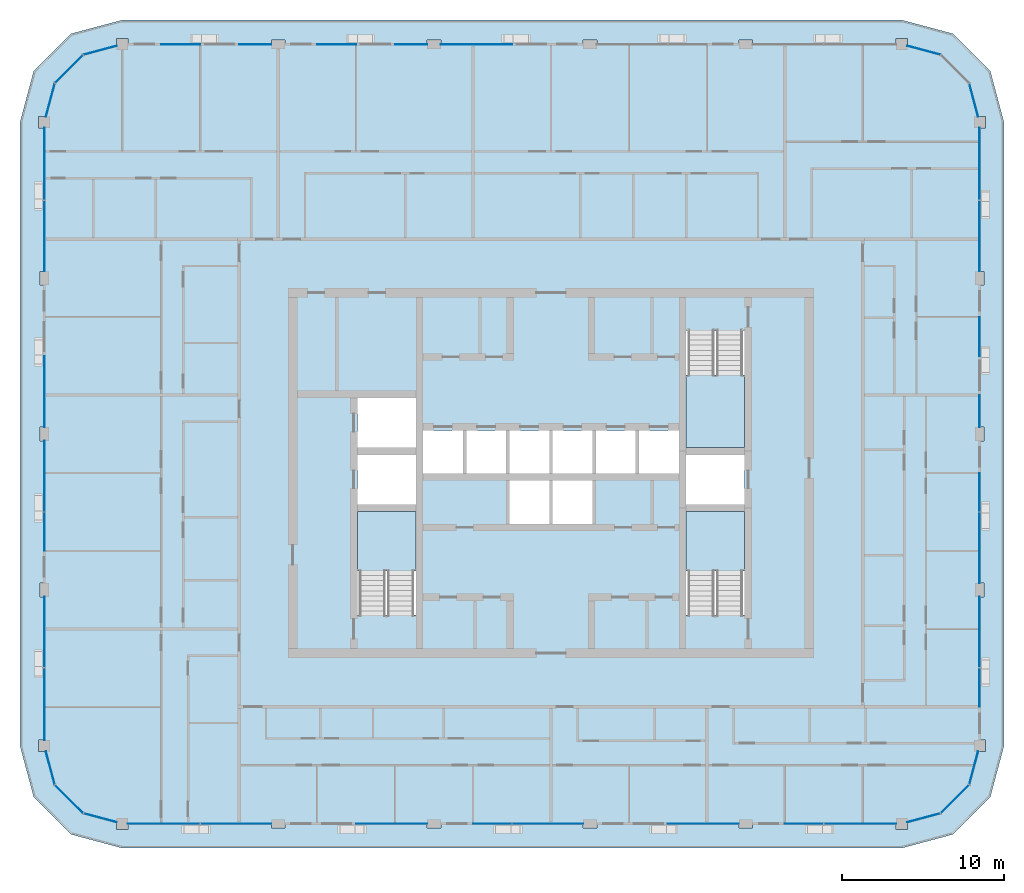
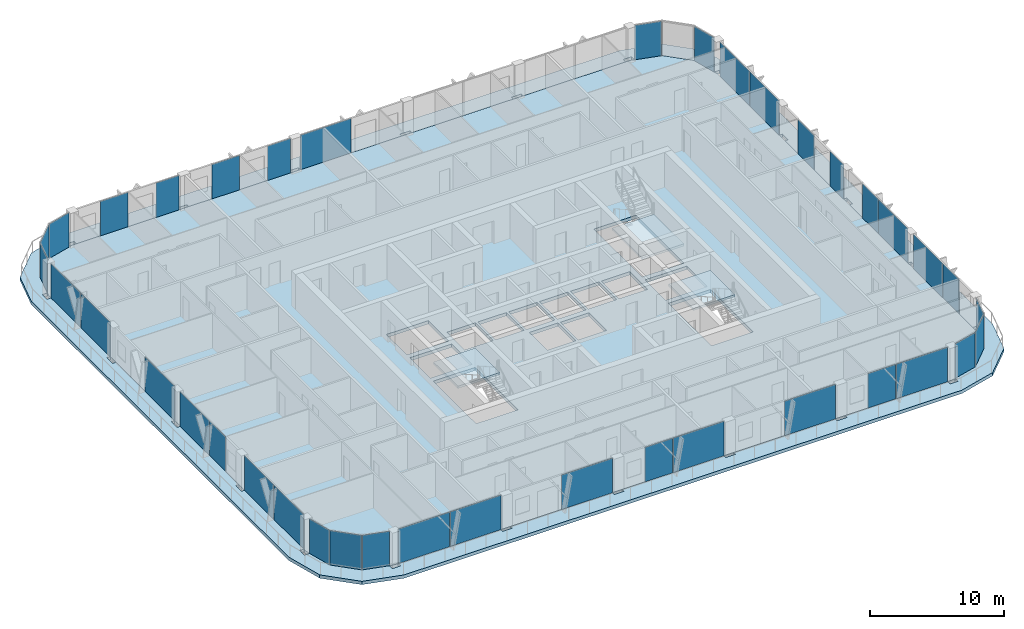
# One storey, part 7 of 21: 39 plates, 5 slabs, 23 elements without a shape of their own.
"""IFC4 building model written with IfcOpenShell, lengths in metres."""

from ifc_helpers import new_model, si_unit, direction, frame, origin, origin_2d, place, context, subcontext, project, spatial, polyline, rectangle, outline, extrude, material, layer, layer_set, type_object, element, aggregate, save


model = new_model("IFC4")

# Units and contexts
model_context = context("Model", 3, precision=1e-05, world=origin(), true_north=direction((0.0, 1.0)))
body_context = subcontext(model_context, "Body", "Model", "MODEL_VIEW")
ifc_project = project(units=[si_unit("LENGTHUNIT", "METRE"), si_unit("AREAUNIT", "SQUARE_METRE"), si_unit("VOLUMEUNIT", "CUBIC_METRE"), si_unit("PLANEANGLEUNIT", "RADIAN"), si_unit("MASSUNIT", "GRAM", prefix="KILO")], contexts=[model_context])

# Site, building, storey
site_placement = place(None, origin())
site = spatial("IfcSite", under=ifc_project, at=site_placement, CompositionType="ELEMENT")
building_placement = place(site_placement, origin())
building = spatial("IfcBuilding", under=site, at=building_placement, Name="Madar Terraces", CompositionType="ELEMENT")
storey_placement = place(building_placement, frame((0.0, 0.0, 238.699951171875)))
storey = spatial("IfcBuildingStorey", under=building, at=storey_placement, Name="L62", CompositionType="ELEMENT", Elevation=238.699951171875)

# Slabs
ifc_material_1 = material(Name="Concrete C50/60", Category="concrete")
ifc_layer_1 = layer(ifc_material_1, 0.300048828125)
ifc_layer_set_1 = layer_set([ifc_layer_1], Name="Balcony band 300")
slab_type_1 = type_object("IfcSlabType", Name="Balcony band 300", PredefinedType="FLOOR", material=ifc_layer_set_1)
slab_1_placement = place(storey_placement, frame((0.0, 0.0, -0.300048828125)))
element("IfcSlab", 1, at=slab_1_placement, inside=storey, type_object=slab_type_1, Name="Balcony band", PredefinedType="FLOOR", context=body_context, shape_type="SweptSolid", body=[
    extrude(outline(polyline([(4.800048828125, 3.300048828125), (1.64990234375, 4.14404296875), (-0.656005859375, 6.449951171875), (-1.5, 9.60009765625), (-1.5, 48.0), (-0.656005859375, 51.14990234375), (1.64990234375, 53.4560546875), (4.800048828125, 54.300048828125), (52.800048828125, 54.300048828125), (55.949951171875, 53.4560546875), (58.256103515625, 51.14990234375), (59.10009765625, 48.0), (59.10009765625, 9.60009765625), (58.256103515625, 6.449951171875), (55.949951171875, 4.14404296875), (52.800048828125, 3.300048828125), (4.800048828125, 3.300048828125)]), holes=[polyline([(5.14990234375, 4.449951171875), (5.14990234375, 4.800048828125), (13.97509765625, 4.800048828125), (13.97509765625, 4.52490234375), (14.824951171875, 4.52490234375), (14.824951171875, 4.800048828125), (23.574951171875, 4.800048828125), (23.574951171875, 4.52490234375), (24.425048828125, 4.52490234375), (24.425048828125, 4.800048828125), (33.175048828125, 4.800048828125), (33.175048828125, 4.52490234375), (34.02490234375, 4.52490234375), (34.02490234375, 4.800048828125), (42.77490234375, 4.800048828125), (42.77490234375, 4.52490234375), (43.625, 4.52490234375), (43.625, 4.800048828125), (52.449951171875, 4.800048828125), (52.449951171875, 4.449951171875), (53.14990234375, 4.449951171875), (53.14990234375, 4.893798828125), (55.199951171875, 5.443115234375), (56.956787109375, 7.199951171875), (57.506103515625, 9.25), (57.949951171875, 9.25), (57.949951171875, 9.949951171875), (57.60009765625, 9.949951171875), (57.60009765625, 18.77490234375), (57.875, 18.77490234375), (57.875, 19.625), (57.60009765625, 19.625), (57.60009765625, 28.375), (57.875, 28.375), (57.875, 29.22509765625), (57.60009765625, 29.22509765625), (57.60009765625, 37.97509765625), (57.875, 37.97509765625), (57.875, 38.824951171875), (57.60009765625, 38.824951171875), (57.60009765625, 47.64990234375), (57.949951171875, 47.64990234375), (57.949951171875, 48.35009765625), (57.506103515625, 48.35009765625), (56.956787109375, 50.39990234375), (55.199951171875, 52.156982421875), (53.14990234375, 52.706298828125), (53.14990234375, 53.14990234375), (52.449951171875, 53.14990234375), (52.449951171875, 52.800048828125), (43.625, 52.800048828125), (43.625, 53.074951171875), (42.77490234375, 53.074951171875), (42.77490234375, 52.800048828125), (34.02490234375, 52.800048828125), (34.02490234375, 53.074951171875), (33.175048828125, 53.074951171875), (33.175048828125, 52.800048828125), (24.425048828125, 52.800048828125), (24.425048828125, 53.074951171875), (23.574951171875, 53.074951171875), (23.574951171875, 52.800048828125), (14.824951171875, 52.800048828125), (14.824951171875, 53.074951171875), (13.97509765625, 53.074951171875), (13.97509765625, 52.800048828125), (5.14990234375, 52.800048828125), (5.14990234375, 53.14990234375), (4.449951171875, 53.14990234375), (4.449951171875, 52.706298828125), (2.39990234375, 52.156982421875), (0.64306640625, 50.39990234375), (0.09375, 48.35009765625), (-0.35009765625, 48.35009765625), (-0.35009765625, 47.64990234375), (0.0, 47.64990234375), (0.0, 38.824951171875), (-0.27490234375, 38.824951171875), (-0.27490234375, 37.97509765625), (0.0, 37.97509765625), (0.0, 29.22509765625), (-0.27490234375, 29.22509765625), (-0.27490234375, 28.375), (0.0, 28.375), (0.0, 19.625), (-0.27490234375, 19.625), (-0.27490234375, 18.77490234375), (0.0, 18.77490234375), (0.0, 9.949951171875), (-0.35009765625, 9.949951171875), (-0.35009765625, 9.25), (0.09375, 9.25), (0.64306640625, 7.199951171875), (2.39990234375, 5.443115234375), (4.449951171875, 4.893798828125), (4.449951171875, 4.449951171875), (5.14990234375, 4.449951171875)])]), origin(), (0.0, 0.0, 1.0), 0.300048828125),
])
ifc_material_2 = material(Name="Concrete C50/60", Category="concrete")
ifc_layer_2 = layer(ifc_material_2, 0.300048828125)
ifc_layer_set_2 = layer_set([ifc_layer_2], Name="FS2 PT flat slab 300")
slab_type_2 = type_object("IfcSlabType", Name="FS2 PT flat slab 300", PredefinedType="FLOOR", material=ifc_layer_set_2)
slab_2_placement = place(storey_placement, frame((0.0, 0.0, -0.300048828125)))
element("IfcSlab", 2, at=slab_2_placement, inside=storey, type_object=slab_type_2, Name="Floor slab L62 (1)", PredefinedType="FLOOR", context=body_context, shape_type="SweptSolid", body=[
    extrude(outline(polyline([(52.800048828125, 4.800048828125), (55.199951171875, 5.443115234375), (56.95703125, 7.199951171875), (57.60009765625, 9.60009765625), (57.60009765625, 48.0), (56.95703125, 50.39990234375), (55.199951171875, 52.156982421875), (52.800048828125, 52.800048828125), (4.800048828125, 52.800048828125), (2.39990234375, 52.156982421875), (0.64306640625, 50.39990234375), (0.0, 48.0), (0.0, 9.60009765625), (0.64306640625, 7.199951171875), (2.39990234375, 5.443115234375), (4.800048828125, 4.800048828125), (52.800048828125, 4.800048828125)]), holes=[polyline([(22.875, 17.64990234375), (19.27490234375, 17.64990234375), (19.27490234375, 24.02490234375), (22.875, 24.02490234375), (22.875, 17.64990234375)]), polyline([(28.6416015625, 23.27490234375), (28.6416015625, 25.925048828125), (31.10009765625, 25.925048828125), (31.10009765625, 23.27490234375), (28.6416015625, 23.27490234375)]), polyline([(19.27490234375, 24.47509765625), (19.27490234375, 27.52490234375), (22.875, 27.52490234375), (22.875, 24.47509765625), (19.27490234375, 24.47509765625)]), polyline([(23.324951171875, 26.375), (23.324951171875, 29.02490234375), (25.783447265625, 29.02490234375), (25.783447265625, 26.375), (23.324951171875, 26.375)]), polyline([(25.9833984375, 26.375), (25.9833984375, 29.02490234375), (28.441650390625, 29.02490234375), (28.441650390625, 26.375), (25.9833984375, 26.375)]), polyline([(28.6416015625, 26.375), (28.6416015625, 29.02490234375), (31.10009765625, 29.02490234375), (31.10009765625, 26.375), (28.6416015625, 26.375)]), polyline([(19.27490234375, 27.97509765625), (19.27490234375, 31.02490234375), (22.875, 31.02490234375), (22.875, 27.97509765625), (19.27490234375, 27.97509765625)]), polyline([(43.125, 17.64990234375), (39.52490234375, 17.64990234375), (39.52490234375, 24.02490234375), (43.125, 24.02490234375), (43.125, 17.64990234375)]), polyline([(31.300048828125, 23.27490234375), (31.300048828125, 25.925048828125), (33.75830078125, 25.925048828125), (33.75830078125, 23.27490234375), (31.300048828125, 23.27490234375)]), polyline([(39.52490234375, 24.47509765625), (39.52490234375, 27.52490234375), (43.125, 27.52490234375), (43.125, 24.47509765625), (39.52490234375, 24.47509765625)]), polyline([(31.300048828125, 26.375), (31.300048828125, 29.02490234375), (33.75830078125, 29.02490234375), (33.75830078125, 26.375), (31.300048828125, 26.375)]), polyline([(33.958251953125, 26.375), (33.958251953125, 29.02490234375), (36.416748046875, 29.02490234375), (36.416748046875, 26.375), (33.958251953125, 26.375)]), polyline([(36.61669921875, 26.375), (36.61669921875, 29.02490234375), (39.074951171875, 29.02490234375), (39.074951171875, 26.375), (36.61669921875, 26.375)]), polyline([(39.52490234375, 27.97509765625), (39.52490234375, 35.14990234375), (43.125, 35.14990234375), (43.125, 27.97509765625), (39.52490234375, 27.97509765625)])]), origin(), (0.0, 0.0, 1.0), 0.300048828125),
])

# Curtain wall, plates
ifc_material_3 = material(Name="Glass, ceramic frit dark grey, with black aluminium frame", Category="aluminium")
ifc_layer_3 = layer(ifc_material_3, 0.199951171875)
ifc_layer_set_3 = layer_set([ifc_layer_3], Name="Facade curtain wall, fritted glass")
curtain_wall_type = type_object("IfcCurtainWallType", Name="Facade curtain wall, fritted glass", PredefinedType="NOTDEFINED", material=ifc_layer_set_3)
curtain_wall_1_placement = place(storey_placement, origin())
curtain_wall_1 = element("IfcCurtainWall", 3, at=curtain_wall_1_placement, inside=storey, type_object=curtain_wall_type, Name="Outer skin curtain wall south bay 1", PredefinedType="NOTDEFINED")
ifc_material_4 = material(Name="Glass, ceramic frit dark grey", Category="glass")
ifc_layer_4 = layer(ifc_material_4, 0.028076171875)
ifc_layer_set_4 = layer_set([ifc_layer_4], Name="Facade glass panel 28")
plate_type = type_object("IfcPlateType", Name="Facade glass panel 28", PredefinedType="CURTAIN_PANEL", material=ifc_layer_set_4)
plate_1_placement = place(storey_placement, frame((7.360107421875, 4.800048828125, 0.0), z_axis=(0.0, 0.0, 1.0), x_axis=(1.0, 0.0, 0.0)))
plate_1 = element("IfcPlate", 4, at=plate_1_placement, type_object=plate_type, Name="Panel 1", PredefinedType="CURTAIN_PANEL", context=body_context, shape_type="SweptSolid", body=[
    extrude(rectangle(XDim=4.419921875, YDim=0.028076171875, at=origin_2d()), origin(), (0.0, 0.0, 1.0), 3.139892578125),
])
plate_2_placement = place(storey_placement, frame((11.802490234375, 4.800048828125, 0.0), z_axis=(0.0, 0.0, 1.0), x_axis=(1.0, 0.0, 0.0)))
plate_2 = element("IfcPlate", 5, at=plate_2_placement, type_object=plate_type, Name="Panel 2", PredefinedType="CURTAIN_PANEL", context=body_context, shape_type="SweptSolid", body=[
    extrude(rectangle(XDim=4.344970703125, YDim=0.028076171875, at=origin_2d()), origin(), (0.0, 0.0, 1.0), 3.139892578125),
])
aggregate(curtain_wall_1, [plate_1, plate_2])

# Curtain wall, plate
curtain_wall_2_placement = place(storey_placement, origin())
curtain_wall_2 = element("IfcCurtainWall", 6, at=curtain_wall_2_placement, inside=storey, type_object=curtain_wall_type, Name="Outer skin curtain wall south bay 2", PredefinedType="NOTDEFINED")
plate_3_placement = place(storey_placement, frame((21.387451171875, 4.800048828125, 0.0), z_axis=(0.0, 0.0, 1.0), x_axis=(1.0, 0.0, 0.0)))
plate_3 = element("IfcPlate", 7, at=plate_3_placement, type_object=plate_type, Name="Panel 1", PredefinedType="CURTAIN_PANEL", context=body_context, shape_type="SweptSolid", body=[
    extrude(rectangle(XDim=4.375, YDim=0.028076171875, at=origin_2d()), origin(), (0.0, 0.0, 1.0), 3.139892578125),
])
aggregate(curtain_wall_2, [plate_3])

# Curtain wall, plates
curtain_wall_3_placement = place(storey_placement, origin())
curtain_wall_3 = element("IfcCurtainWall", 8, at=curtain_wall_3_placement, inside=storey, type_object=curtain_wall_type, Name="Outer skin curtain wall south bay 3", PredefinedType="NOTDEFINED")
plate_4_placement = place(storey_placement, frame((27.5849609375, 4.800048828125, 0.0), z_axis=(0.0, 0.0, 1.0), x_axis=(1.0, 0.0, 0.0)))
plate_4 = element("IfcPlate", 9, at=plate_4_placement, type_object=plate_type, Name="Panel 1", PredefinedType="CURTAIN_PANEL", context=body_context, shape_type="SweptSolid", body=[
    extrude(rectangle(XDim=2.3701171875, YDim=0.028076171875, at=origin_2d()), origin(), (0.0, 0.0, 1.0), 3.139892578125),
])
plate_5_placement = place(storey_placement, frame((31.00244140625, 4.800048828125, 0.0), z_axis=(0.0, 0.0, 1.0), x_axis=(1.0, 0.0, 0.0)))
plate_5 = element("IfcPlate", 10, at=plate_5_placement, type_object=plate_type, Name="Panel 2", PredefinedType="CURTAIN_PANEL", context=body_context, shape_type="SweptSolid", body=[
    extrude(rectangle(XDim=4.344970703125, YDim=0.028076171875, at=origin_2d()), origin(), (0.0, 0.0, 1.0), 3.139892578125),
])
aggregate(curtain_wall_3, [plate_4, plate_5])

# Curtain wall, plate
curtain_wall_4_placement = place(storey_placement, origin())
curtain_wall_4 = element("IfcCurtainWall", 11, at=curtain_wall_4_placement, inside=storey, type_object=curtain_wall_type, Name="Outer skin curtain wall south bay 4", PredefinedType="NOTDEFINED")
plate_6_placement = place(storey_placement, frame((40.58740234375, 4.800048828125, 0.0), z_axis=(0.0, 0.0, 1.0), x_axis=(1.0, 0.0, 0.0)))
plate_6 = element("IfcPlate", 12, at=plate_6_placement, type_object=plate_type, Name="Panel 1", PredefinedType="CURTAIN_PANEL", context=body_context, shape_type="SweptSolid", body=[
    extrude(rectangle(XDim=4.375, YDim=0.028076171875, at=origin_2d()), origin(), (0.0, 0.0, 1.0), 3.139892578125),
])
aggregate(curtain_wall_4, [plate_6])

# Curtain wall, plates
curtain_wall_5_placement = place(storey_placement, origin())
curtain_wall_5 = element("IfcCurtainWall", 13, at=curtain_wall_5_placement, inside=storey, type_object=curtain_wall_type, Name="Outer skin curtain wall south bay 5", PredefinedType="NOTDEFINED")
plate_7_placement = place(storey_placement, frame((46.784912109375, 4.800048828125, 0.0), z_axis=(0.0, 0.0, 1.0), x_axis=(1.0, 0.0, 0.0)))
plate_7 = element("IfcPlate", 14, at=plate_7_placement, type_object=plate_type, Name="Panel 1", PredefinedType="CURTAIN_PANEL", context=body_context, shape_type="SweptSolid", body=[
    extrude(rectangle(XDim=2.3701171875, YDim=0.028076171875, at=origin_2d()), origin(), (0.0, 0.0, 1.0), 3.139892578125),
])
plate_8_placement = place(storey_placement, frame((50.239990234375, 4.800048828125, 0.0), z_axis=(0.0, 0.0, 1.0), x_axis=(1.0, 0.0, 0.0)))
plate_8 = element("IfcPlate", 15, at=plate_8_placement, type_object=plate_type, Name="Panel 2", PredefinedType="CURTAIN_PANEL", context=body_context, shape_type="SweptSolid", body=[
    extrude(rectangle(XDim=4.419921875, YDim=0.028076171875, at=origin_2d()), origin(), (0.0, 0.0, 1.0), 3.139892578125),
])
aggregate(curtain_wall_5, [plate_7, plate_8])

curtain_wall_6_placement = place(storey_placement, origin())
curtain_wall_6 = element("IfcCurtainWall", 16, at=curtain_wall_6_placement, inside=storey, type_object=curtain_wall_type, Name="Outer skin curtain wall east bay 1", PredefinedType="NOTDEFINED")
plate_9_placement = place(storey_placement, frame((57.60009765625, 13.18505859375, 0.0), z_axis=(0.0, 0.0, 1.0), x_axis=(0.0, 1.0, 0.0)))
plate_9 = element("IfcPlate", 17, at=plate_9_placement, type_object=plate_type, Name="Panel 1", PredefinedType="CURTAIN_PANEL", context=body_context, shape_type="SweptSolid", body=[
    extrude(rectangle(XDim=2.3701171875, YDim=0.028076171875, at=origin_2d()), origin(), (0.0, 0.0, 1.0), 3.139892578125),
])
plate_10_placement = place(storey_placement, frame((57.60009765625, 16.6025390625, 0.0), z_axis=(0.0, 0.0, 1.0), x_axis=(0.0, 1.0, 0.0)))
plate_10 = element("IfcPlate", 18, at=plate_10_placement, type_object=plate_type, Name="Panel 2", PredefinedType="CURTAIN_PANEL", context=body_context, shape_type="SweptSolid", body=[
    extrude(rectangle(XDim=4.344970703125, YDim=0.028076171875, at=origin_2d()), origin(), (0.0, 0.0, 1.0), 3.139892578125),
])
aggregate(curtain_wall_6, [plate_9, plate_10])

curtain_wall_7_placement = place(storey_placement, origin())
curtain_wall_7 = element("IfcCurtainWall", 19, at=curtain_wall_7_placement, inside=storey, type_object=curtain_wall_type, Name="Outer skin curtain wall east bay 2", PredefinedType="NOTDEFINED")
plate_11_placement = place(storey_placement, frame((57.60009765625, 21.797607421875, 0.0), z_axis=(0.0, 0.0, 1.0), x_axis=(0.0, 1.0, 0.0)))
plate_11 = element("IfcPlate", 20, at=plate_11_placement, type_object=plate_type, Name="Panel 1", PredefinedType="CURTAIN_PANEL", context=body_context, shape_type="SweptSolid", body=[
    extrude(rectangle(XDim=4.344970703125, YDim=0.028076171875, at=origin_2d()), origin(), (0.0, 0.0, 1.0), 3.139892578125),
])
plate_12_placement = place(storey_placement, frame((57.60009765625, 25.215087890625, 0.0), z_axis=(0.0, 0.0, 1.0), x_axis=(0.0, 1.0, 0.0)))
plate_12 = element("IfcPlate", 21, at=plate_12_placement, type_object=plate_type, Name="Panel 2", PredefinedType="CURTAIN_PANEL", context=body_context, shape_type="SweptSolid", body=[
    extrude(rectangle(XDim=2.3701171875, YDim=0.028076171875, at=origin_2d()), origin(), (0.0, 0.0, 1.0), 3.139892578125),
])
aggregate(curtain_wall_7, [plate_11, plate_12])

curtain_wall_8_placement = place(storey_placement, origin())
curtain_wall_8 = element("IfcCurtainWall", 22, at=curtain_wall_8_placement, inside=storey, type_object=curtain_wall_type, Name="Outer skin curtain wall east bay 3", PredefinedType="NOTDEFINED")
plate_13_placement = place(storey_placement, frame((57.60009765625, 30.21240234375, 0.0), z_axis=(0.0, 0.0, 1.0), x_axis=(0.0, 1.0, 0.0)))
plate_13 = element("IfcPlate", 23, at=plate_13_placement, type_object=plate_type, Name="Panel 1", PredefinedType="CURTAIN_PANEL", context=body_context, shape_type="SweptSolid", body=[
    extrude(rectangle(XDim=1.97509765625, YDim=0.028076171875, at=origin_2d()), origin(), (0.0, 0.0, 1.0), 3.139892578125),
])
plate_14_placement = place(storey_placement, frame((57.60009765625, 34.800048828125, 0.0), z_axis=(0.0, 0.0, 1.0), x_axis=(0.0, 1.0, 0.0)))
plate_14 = element("IfcPlate", 24, at=plate_14_placement, type_object=plate_type, Name="Panel 2", PredefinedType="CURTAIN_PANEL", context=body_context, shape_type="SweptSolid", body=[
    extrude(rectangle(XDim=2.39990234375, YDim=0.028076171875, at=origin_2d()), origin(), (0.0, 0.0, 1.0), 3.139892578125),
])
aggregate(curtain_wall_8, [plate_13, plate_14])

curtain_wall_9_placement = place(storey_placement, origin())
curtain_wall_9 = element("IfcCurtainWall", 25, at=curtain_wall_9_placement, inside=storey, type_object=curtain_wall_type, Name="Outer skin curtain wall east bay 4", PredefinedType="NOTDEFINED")
plate_15_placement = place(storey_placement, frame((57.60009765625, 40.99755859375, 0.0), z_axis=(0.0, 0.0, 1.0), x_axis=(0.0, 1.0, 0.0)))
plate_15 = element("IfcPlate", 26, at=plate_15_placement, type_object=plate_type, Name="Panel 1", PredefinedType="CURTAIN_PANEL", context=body_context, shape_type="SweptSolid", body=[
    extrude(rectangle(XDim=4.344970703125, YDim=0.028076171875, at=origin_2d()), origin(), (0.0, 0.0, 1.0), 3.139892578125),
])
plate_16_placement = place(storey_placement, frame((57.60009765625, 45.43994140625, 0.0), z_axis=(0.0, 0.0, 1.0), x_axis=(0.0, 1.0, 0.0)))
plate_16 = element("IfcPlate", 27, at=plate_16_placement, type_object=plate_type, Name="Panel 2", PredefinedType="CURTAIN_PANEL", context=body_context, shape_type="SweptSolid", body=[
    extrude(rectangle(XDim=4.419921875, YDim=0.028076171875, at=origin_2d()), origin(), (0.0, 0.0, 1.0), 3.139892578125),
])
aggregate(curtain_wall_9, [plate_15, plate_16])

# Curtain wall, plate
curtain_wall_10_placement = place(storey_placement, origin())
curtain_wall_10 = element("IfcCurtainWall", 28, at=curtain_wall_10_placement, inside=storey, type_object=curtain_wall_type, Name="Outer skin curtain wall north bay 3", PredefinedType="NOTDEFINED")
plate_17_placement = place(storey_placement, frame((26.612548828125, 52.800048828125, 0.0), z_axis=(0.0, 0.0, 1.0), x_axis=(-1.0, 0.0, 0.0)))
plate_17 = element("IfcPlate", 29, at=plate_17_placement, type_object=plate_type, Name="Panel 1", PredefinedType="CURTAIN_PANEL", context=body_context, shape_type="SweptSolid", body=[
    extrude(rectangle(XDim=4.375, YDim=0.028076171875, at=origin_2d()), origin(), (0.0, 0.0, 1.0), 3.139892578125),
])
aggregate(curtain_wall_10, [plate_17])

# Curtain wall, plates
curtain_wall_11_placement = place(storey_placement, origin())
curtain_wall_11 = element("IfcCurtainWall", 30, at=curtain_wall_11_placement, inside=storey, type_object=curtain_wall_type, Name="Outer skin curtain wall north bay 4", PredefinedType="NOTDEFINED")
plate_18_placement = place(storey_placement, frame((22.58740234375, 52.800048828125, 0.0), z_axis=(0.0, 0.0, 1.0), x_axis=(-1.0, 0.0, 0.0)))
plate_18 = element("IfcPlate", 31, at=plate_18_placement, type_object=plate_type, Name="Panel 1", PredefinedType="CURTAIN_PANEL", context=body_context, shape_type="SweptSolid", body=[
    extrude(rectangle(XDim=1.97509765625, YDim=0.028076171875, at=origin_2d()), origin(), (0.0, 0.0, 1.0), 3.139892578125),
])
plate_19_placement = place(storey_placement, frame((18.0, 52.800048828125, 0.0), z_axis=(0.0, 0.0, 1.0), x_axis=(-1.0, 0.0, 0.0)))
plate_19 = element("IfcPlate", 32, at=plate_19_placement, type_object=plate_type, Name="Panel 2", PredefinedType="CURTAIN_PANEL", context=body_context, shape_type="SweptSolid", body=[
    extrude(rectangle(XDim=2.39990234375, YDim=0.028076171875, at=origin_2d()), origin(), (0.0, 0.0, 1.0), 3.139892578125),
])
aggregate(curtain_wall_11, [plate_18, plate_19])

curtain_wall_12_placement = place(storey_placement, origin())
curtain_wall_12 = element("IfcCurtainWall", 33, at=curtain_wall_12_placement, inside=storey, type_object=curtain_wall_type, Name="Outer skin curtain wall north bay 5", PredefinedType="NOTDEFINED")
plate_20_placement = place(storey_placement, frame((12.987548828125, 52.800048828125, 0.0), z_axis=(0.0, 0.0, 1.0), x_axis=(-1.0, 0.0, 0.0)))
plate_20 = element("IfcPlate", 34, at=plate_20_placement, type_object=plate_type, Name="Panel 1", PredefinedType="CURTAIN_PANEL", context=body_context, shape_type="SweptSolid", body=[
    extrude(rectangle(XDim=1.97509765625, YDim=0.028076171875, at=origin_2d()), origin(), (0.0, 0.0, 1.0), 3.139892578125),
])
plate_21_placement = place(storey_placement, frame((8.39990234375, 52.800048828125, 0.0), z_axis=(0.0, 0.0, 1.0), x_axis=(-1.0, 0.0, 0.0)))
plate_21 = element("IfcPlate", 35, at=plate_21_placement, type_object=plate_type, Name="Panel 2", PredefinedType="CURTAIN_PANEL", context=body_context, shape_type="SweptSolid", body=[
    extrude(rectangle(XDim=2.39990234375, YDim=0.028076171875, at=origin_2d()), origin(), (0.0, 0.0, 1.0), 3.139892578125),
])
aggregate(curtain_wall_12, [plate_20, plate_21])

curtain_wall_13_placement = place(storey_placement, origin())
curtain_wall_13 = element("IfcCurtainWall", 36, at=curtain_wall_13_placement, inside=storey, type_object=curtain_wall_type, Name="Outer skin curtain wall west bay 1", PredefinedType="NOTDEFINED")
plate_22_placement = place(storey_placement, frame((0.0, 45.43994140625, 0.0), z_axis=(0.0, 0.0, 1.0), x_axis=(0.0, -1.0, 0.0)))
plate_22 = element("IfcPlate", 37, at=plate_22_placement, type_object=plate_type, Name="Panel 1", PredefinedType="CURTAIN_PANEL", context=body_context, shape_type="SweptSolid", body=[
    extrude(rectangle(XDim=4.419921875, YDim=0.028076171875, at=origin_2d()), origin(), (0.0, 0.0, 1.0), 3.139892578125),
])
plate_23_placement = place(storey_placement, frame((0.0, 40.99755859375, 0.0), z_axis=(0.0, 0.0, 1.0), x_axis=(0.0, -1.0, 0.0)))
plate_23 = element("IfcPlate", 38, at=plate_23_placement, type_object=plate_type, Name="Panel 2", PredefinedType="CURTAIN_PANEL", context=body_context, shape_type="SweptSolid", body=[
    extrude(rectangle(XDim=4.344970703125, YDim=0.028076171875, at=origin_2d()), origin(), (0.0, 0.0, 1.0), 3.139892578125),
])
aggregate(curtain_wall_13, [plate_22, plate_23])

# Curtain wall, plate
curtain_wall_14_placement = place(storey_placement, origin())
curtain_wall_14 = element("IfcCurtainWall", 39, at=curtain_wall_14_placement, inside=storey, type_object=curtain_wall_type, Name="Outer skin curtain wall west bay 2", PredefinedType="NOTDEFINED")
plate_24_placement = place(storey_placement, frame((0.0, 31.41259765625, 0.0), z_axis=(0.0, 0.0, 1.0), x_axis=(0.0, -1.0, 0.0)))
plate_24 = element("IfcPlate", 40, at=plate_24_placement, type_object=plate_type, Name="Panel 1", PredefinedType="CURTAIN_PANEL", context=body_context, shape_type="SweptSolid", body=[
    extrude(rectangle(XDim=4.375, YDim=0.028076171875, at=origin_2d()), origin(), (0.0, 0.0, 1.0), 3.139892578125),
])
aggregate(curtain_wall_14, [plate_24])

# Curtain wall, plates
curtain_wall_15_placement = place(storey_placement, origin())
curtain_wall_15 = element("IfcCurtainWall", 41, at=curtain_wall_15_placement, inside=storey, type_object=curtain_wall_type, Name="Outer skin curtain wall west bay 3", PredefinedType="NOTDEFINED")
plate_25_placement = place(storey_placement, frame((0.0, 26.202392578125, 0.0), z_axis=(0.0, 0.0, 1.0), x_axis=(0.0, -1.0, 0.0)))
plate_25 = element("IfcPlate", 42, at=plate_25_placement, type_object=plate_type, Name="Panel 1", PredefinedType="CURTAIN_PANEL", context=body_context, shape_type="SweptSolid", body=[
    extrude(rectangle(XDim=4.344970703125, YDim=0.028076171875, at=origin_2d()), origin(), (0.0, 0.0, 1.0), 3.139892578125),
])
plate_26_placement = place(storey_placement, frame((0.0, 22.784912109375, 0.0), z_axis=(0.0, 0.0, 1.0), x_axis=(0.0, -1.0, 0.0)))
plate_26 = element("IfcPlate", 43, at=plate_26_placement, type_object=plate_type, Name="Panel 2", PredefinedType="CURTAIN_PANEL", context=body_context, shape_type="SweptSolid", body=[
    extrude(rectangle(XDim=2.3701171875, YDim=0.028076171875, at=origin_2d()), origin(), (0.0, 0.0, 1.0), 3.139892578125),
])
aggregate(curtain_wall_15, [plate_25, plate_26])

curtain_wall_16_placement = place(storey_placement, origin())
curtain_wall_16 = element("IfcCurtainWall", 44, at=curtain_wall_16_placement, inside=storey, type_object=curtain_wall_type, Name="Outer skin curtain wall west bay 4", PredefinedType="NOTDEFINED")
plate_27_placement = place(storey_placement, frame((0.0, 16.6025390625, 0.0), z_axis=(0.0, 0.0, 1.0), x_axis=(0.0, -1.0, 0.0)))
plate_27 = element("IfcPlate", 45, at=plate_27_placement, type_object=plate_type, Name="Panel 1", PredefinedType="CURTAIN_PANEL", context=body_context, shape_type="SweptSolid", body=[
    extrude(rectangle(XDim=4.344970703125, YDim=0.028076171875, at=origin_2d()), origin(), (0.0, 0.0, 1.0), 3.139892578125),
])
plate_28_placement = place(storey_placement, frame((0.0, 12.159912109375, 0.0), z_axis=(0.0, 0.0, 1.0), x_axis=(0.0, -1.0, 0.0)))
plate_28 = element("IfcPlate", 46, at=plate_28_placement, type_object=plate_type, Name="Panel 2", PredefinedType="CURTAIN_PANEL", context=body_context, shape_type="SweptSolid", body=[
    extrude(rectangle(XDim=4.419921875, YDim=0.028076171875, at=origin_2d()), origin(), (0.0, 0.0, 1.0), 3.139892578125),
])
aggregate(curtain_wall_16, [plate_27, plate_28])

curtain_wall_17_placement = place(storey_placement, origin())
curtain_wall_17 = element("IfcCurtainWall", 47, at=curtain_wall_17_placement, inside=storey, type_object=curtain_wall_type, Name="Outer skin curtain wall south-east corner", PredefinedType="NOTDEFINED")
plate_29_placement = place(storey_placement, frame((54.160400390625, 5.16455078125, 0.0), z_axis=(0.0, 0.0, 1.0), x_axis=(0.965925832509, 0.258819021888, 0.0)))
plate_29 = element("IfcPlate", 48, at=plate_29_placement, type_object=plate_type, Name="Panel 1", PredefinedType="CURTAIN_PANEL", context=body_context, shape_type="SweptSolid", body=[
    extrude(rectangle(XDim=2.09228515625, YDim=0.028076171875, at=origin_2d()), origin(), (0.0, 0.0, 1.0), 3.139892578125),
])
plate_30_placement = place(storey_placement, frame((56.078369140625, 6.321533203125, 0.0), z_axis=(0.0, 0.0, 1.0), x_axis=(0.707106781187, 0.707106781187, 0.0)))
plate_30 = element("IfcPlate", 49, at=plate_30_placement, type_object=plate_type, Name="Panel 2", PredefinedType="CURTAIN_PANEL", context=body_context, shape_type="SweptSolid", body=[
    extrude(rectangle(XDim=2.424560546875, YDim=0.028076171875, at=origin_2d()), origin(), (0.0, 0.0, 1.0), 3.139892578125),
])
plate_31_placement = place(storey_placement, frame((57.2353515625, 8.239501953125, 0.0), z_axis=(0.0, 0.0, 1.0), x_axis=(0.258819021888, 0.965925832509, 0.0)))
plate_31 = element("IfcPlate", 50, at=plate_31_placement, type_object=plate_type, Name="Panel 3", PredefinedType="CURTAIN_PANEL", context=body_context, shape_type="SweptSolid", body=[
    extrude(rectangle(XDim=2.09228515625, YDim=0.028076171875, at=origin_2d()), origin(), (0.0, 0.0, 1.0), 3.139892578125),
])
aggregate(curtain_wall_17, [plate_29, plate_30, plate_31])

curtain_wall_18_placement = place(storey_placement, origin())
curtain_wall_18 = element("IfcCurtainWall", 51, at=curtain_wall_18_placement, inside=storey, type_object=curtain_wall_type, Name="Outer skin curtain wall north-east corner", PredefinedType="NOTDEFINED")
plate_32_placement = place(storey_placement, frame((57.2353515625, 49.360595703125, 0.0), z_axis=(0.0, 0.0, 1.0), x_axis=(-0.258819021888, 0.965925832509, 0.0)))
plate_32 = element("IfcPlate", 52, at=plate_32_placement, type_object=plate_type, Name="Panel 1", PredefinedType="CURTAIN_PANEL", context=body_context, shape_type="SweptSolid", body=[
    extrude(rectangle(XDim=2.09228515625, YDim=0.028076171875, at=origin_2d()), origin(), (0.0, 0.0, 1.0), 3.139892578125),
])
plate_33_placement = place(storey_placement, frame((54.160400390625, 52.435546875, 0.0), z_axis=(0.0, 0.0, 1.0), x_axis=(-0.965925832509, 0.258819021888, 0.0)))
plate_33 = element("IfcPlate", 53, at=plate_33_placement, type_object=plate_type, Name="Panel 3", PredefinedType="CURTAIN_PANEL", context=body_context, shape_type="SweptSolid", body=[
    extrude(rectangle(XDim=2.09228515625, YDim=0.028076171875, at=origin_2d()), origin(), (0.0, 0.0, 1.0), 3.139892578125),
])
aggregate(curtain_wall_18, [plate_32, plate_33])

curtain_wall_19_placement = place(storey_placement, origin())
curtain_wall_19 = element("IfcCurtainWall", 54, at=curtain_wall_19_placement, inside=storey, type_object=curtain_wall_type, Name="Outer skin curtain wall north-west corner", PredefinedType="NOTDEFINED")
plate_34_placement = place(storey_placement, frame((3.439453125, 52.435546875, 0.0), z_axis=(0.0, 0.0, 1.0), x_axis=(-0.965925832509, -0.258819021888, 0.0)))
plate_34 = element("IfcPlate", 55, at=plate_34_placement, type_object=plate_type, Name="Panel 1", PredefinedType="CURTAIN_PANEL", context=body_context, shape_type="SweptSolid", body=[
    extrude(rectangle(XDim=2.09228515625, YDim=0.028076171875, at=origin_2d()), origin(), (0.0, 0.0, 1.0), 3.139892578125),
])
plate_35_placement = place(storey_placement, frame((1.521484375, 51.278564453125, 0.0), z_axis=(0.0, 0.0, 1.0), x_axis=(-0.707106781187, -0.707106781187, 0.0)))
plate_35 = element("IfcPlate", 56, at=plate_35_placement, type_object=plate_type, Name="Panel 2", PredefinedType="CURTAIN_PANEL", context=body_context, shape_type="SweptSolid", body=[
    extrude(rectangle(XDim=2.424560546875, YDim=0.028076171875, at=origin_2d()), origin(), (0.0, 0.0, 1.0), 3.139892578125),
])
plate_36_placement = place(storey_placement, frame((0.364501953125, 49.360595703125, 0.0), z_axis=(0.0, 0.0, 1.0), x_axis=(-0.258819021888, -0.965925832509, 0.0)))
plate_36 = element("IfcPlate", 57, at=plate_36_placement, type_object=plate_type, Name="Panel 3", PredefinedType="CURTAIN_PANEL", context=body_context, shape_type="SweptSolid", body=[
    extrude(rectangle(XDim=2.09228515625, YDim=0.028076171875, at=origin_2d()), origin(), (0.0, 0.0, 1.0), 3.139892578125),
])
aggregate(curtain_wall_19, [plate_34, plate_35, plate_36])

curtain_wall_20_placement = place(storey_placement, origin())
curtain_wall_20 = element("IfcCurtainWall", 58, at=curtain_wall_20_placement, inside=storey, type_object=curtain_wall_type, Name="Outer skin curtain wall south-west corner", PredefinedType="NOTDEFINED")
plate_37_placement = place(storey_placement, frame((0.364501953125, 8.239501953125, 0.0), z_axis=(0.0, 0.0, 1.0), x_axis=(0.258819021888, -0.965925832509, 0.0)))
plate_37 = element("IfcPlate", 59, at=plate_37_placement, type_object=plate_type, Name="Panel 1", PredefinedType="CURTAIN_PANEL", context=body_context, shape_type="SweptSolid", body=[
    extrude(rectangle(XDim=2.09228515625, YDim=0.028076171875, at=origin_2d()), origin(), (0.0, 0.0, 1.0), 3.139892578125),
])
plate_38_placement = place(storey_placement, frame((1.521484375, 6.321533203125, 0.0), z_axis=(0.0, 0.0, 1.0), x_axis=(0.707106781187, -0.707106781187, 0.0)))
plate_38 = element("IfcPlate", 60, at=plate_38_placement, type_object=plate_type, Name="Panel 2", PredefinedType="CURTAIN_PANEL", context=body_context, shape_type="SweptSolid", body=[
    extrude(rectangle(XDim=2.424560546875, YDim=0.028076171875, at=origin_2d()), origin(), (0.0, 0.0, 1.0), 3.139892578125),
])
plate_39_placement = place(storey_placement, frame((3.439453125, 5.16455078125, 0.0), z_axis=(0.0, 0.0, 1.0), x_axis=(0.965925832509, -0.258819021888, 0.0)))
plate_39 = element("IfcPlate", 61, at=plate_39_placement, type_object=plate_type, Name="Panel 3", PredefinedType="CURTAIN_PANEL", context=body_context, shape_type="SweptSolid", body=[
    extrude(rectangle(XDim=2.09228515625, YDim=0.028076171875, at=origin_2d()), origin(), (0.0, 0.0, 1.0), 3.139892578125),
])
aggregate(curtain_wall_20, [plate_37, plate_38, plate_39])

# Stair, slab
ifc_material_5 = material(Name="Concrete C50/60", Category="concrete")
stair_type_1 = type_object("IfcStairType", Name="Stair ST1 protected exit", PredefinedType="HALF_TURN_STAIR", material=ifc_material_5)
stair_1_placement = place(storey_placement, origin())
stair_1 = element("IfcStair", 62, at=stair_1_placement, inside=storey, type_object=stair_type_1, Name="L62 Protected Exit Stair ST1", PredefinedType="HALF_TURN_STAIR")
ifc_material_6 = material(Name="Concrete C50/60", Category="concrete")
ifc_layer_5 = layer(ifc_material_6, 0.199951171875)
ifc_layer_set_5 = layer_set([ifc_layer_5], Name="Stair landing 200, top +1.75")
slab_type_3 = type_object("IfcSlabType", Name="Stair landing 200, top +1.75", PredefinedType="LANDING", material=ifc_layer_set_5)
slab_3_placement = place(storey_placement, frame((0.0, 0.0, 1.550048828125)))
slab_3 = element("IfcSlab", 63, at=slab_3_placement, type_object=slab_type_3, Name="ST1 landing 1", PredefinedType="LANDING", context=body_context, shape_type="SweptSolid", body=[
    extrude(outline(polyline([(19.27490234375, 20.360107421875), (22.875, 20.360107421875), (22.875, 24.02490234375), (19.27490234375, 24.02490234375), (19.27490234375, 20.360107421875)])), origin(), (0.0, 0.0, 1.0), 0.199951171875),
])
aggregate(stair_1, [slab_3])

ifc_material_7 = material(Name="Concrete C50/60", Category="concrete")
stair_type_2 = type_object("IfcStairType", Name="Stair ST2 protected exit", PredefinedType="HALF_TURN_STAIR", material=ifc_material_7)
stair_2_placement = place(storey_placement, origin())
stair_2 = element("IfcStair", 64, at=stair_2_placement, inside=storey, type_object=stair_type_2, Name="L62 Protected Exit Stair ST2", PredefinedType="HALF_TURN_STAIR")
slab_4_placement = place(storey_placement, frame((0.0, 0.0, 1.550048828125)))
slab_4 = element("IfcSlab", 65, at=slab_4_placement, type_object=slab_type_3, Name="ST2 landing 1", PredefinedType="LANDING", context=body_context, shape_type="SweptSolid", body=[
    extrude(outline(polyline([(39.52490234375, 27.97509765625), (43.125, 27.97509765625), (43.125, 32.43994140625), (39.52490234375, 32.43994140625), (39.52490234375, 27.97509765625)])), origin(), (0.0, 0.0, 1.0), 0.199951171875),
])
aggregate(stair_2, [slab_4])

ifc_material_8 = material(Name="Concrete C50/60", Category="concrete")
stair_type_3 = type_object("IfcStairType", Name="Stair ST3 protected exit", PredefinedType="HALF_TURN_STAIR", material=ifc_material_8)
stair_3_placement = place(storey_placement, origin())
stair_3 = element("IfcStair", 66, at=stair_3_placement, inside=storey, type_object=stair_type_3, Name="L62 Protected Exit Stair ST3", PredefinedType="HALF_TURN_STAIR")
slab_5_placement = place(storey_placement, frame((0.0, 0.0, 1.550048828125)))
slab_5 = element("IfcSlab", 67, at=slab_5_placement, type_object=slab_type_3, Name="ST3 landing 1", PredefinedType="LANDING", context=body_context, shape_type="SweptSolid", body=[
    extrude(outline(polyline([(39.52490234375, 20.360107421875), (43.125, 20.360107421875), (43.125, 24.02490234375), (39.52490234375, 24.02490234375), (39.52490234375, 20.360107421875)])), origin(), (0.0, 0.0, 1.0), 0.199951171875),
])
aggregate(stair_3, [slab_5])

save(model, "model.ifc")
